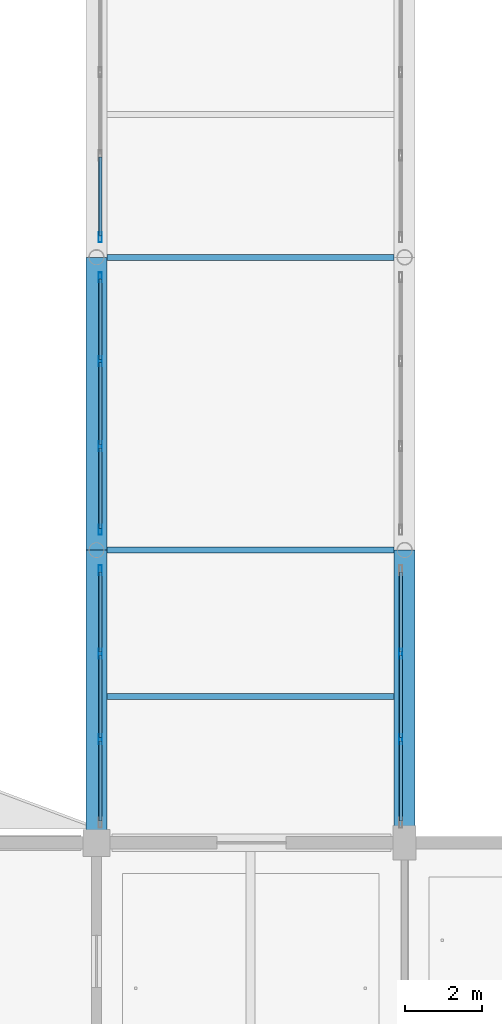
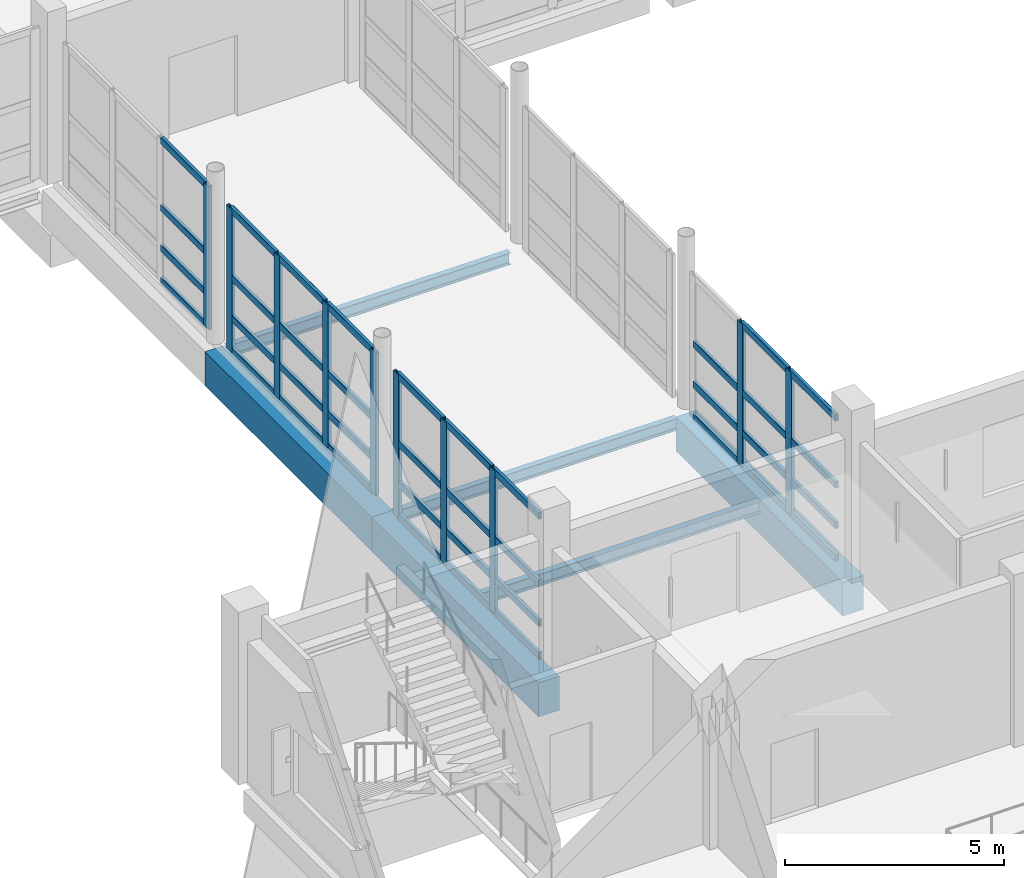
# One storey, part 21 of 147: 49 members, 6 beams, 4 elements without a shape of their own.
"""IFC4 building model written with IfcOpenShell, lengths in metres."""

from ifc_helpers import new_model, si_unit, direction, frame, origin, origin_2d, place, context, subcontext, project, spatial, rectangle, hollow_rectangle, i_section, extrude, material, material_profile, profile_set, type_object, element, aggregate, save


model = new_model("IFC4")

# Units and contexts
model_context = context("Model", 3, precision=1e-05, world=origin(), true_north=direction((0.0, 1.0)))
body_context = subcontext(model_context, "Body", "Model", "MODEL_VIEW")
ifc_project = project(units=[si_unit("LENGTHUNIT", "METRE"), si_unit("AREAUNIT", "SQUARE_METRE"), si_unit("VOLUMEUNIT", "CUBIC_METRE"), si_unit("PLANEANGLEUNIT", "RADIAN"), si_unit("MASSUNIT", "GRAM", prefix="KILO")], contexts=[model_context])

# Site, building, storey
site_placement = place(None, origin())
site = spatial("IfcSite", under=ifc_project, at=site_placement, CompositionType="ELEMENT")
building_placement = place(site_placement, origin())
building = spatial("IfcBuilding", under=site, at=building_placement, Name="Khelvaren Railside Concert Hall", CompositionType="ELEMENT")
storey_placement = place(building_placement, frame((0.0, 0.0, 5.39990234375)))
storey = spatial("IfcBuildingStorey", under=building, at=storey_placement, Name="L01", CompositionType="ELEMENT", Elevation=5.39990234375)

# Curtain wall, members
ifc_material_1 = material(Name="Acoustic laminated crystal facade glass", Category="glass")
curtain_wall_type = type_object("IfcCurtainWallType", Name="CW78", PredefinedType="USERDEFINED", material=ifc_material_1)
curtain_wall_1_placement = place(storey_placement, origin())
curtain_wall_1 = element("IfcCurtainWall", 1, at=curtain_wall_1_placement, inside=storey, type_object=curtain_wall_type, Name="Unitised Curtain Wall CW-LB3-L01-W1", ObjectType="UNITISED CURTAIN WALL", PredefinedType="USERDEFINED")
ifc_material_2 = material(Name="Anodised architectural aluminium 6063-T6", Category="aluminium")
ifc_material_profile_1 = material_profile(ifc_material_2, hollow_rectangle(XDim=0.0849609375, YDim=0.260009765625, WallThickness=0.0048828125, InnerFilletRadius=0.0029296875, OuterFilletRadius=0.0048828125, at=origin_2d()), Name="CWM 85x260x5")
ifc_profile_set_1 = profile_set([ifc_material_profile_1], Name="Anodised architectural aluminium 6063-T6")
member_type_1 = type_object("IfcMemberType", Name="CWM40", PredefinedType="MULLION", material=ifc_profile_set_1)
member_1_placement = place(storey_placement, frame((8.10009765625, 48.293212890625, 0.0), z_axis=(0.0, 0.0, 1.0), x_axis=(-1.0, 0.0, 0.0)))
member_1 = element("IfcMember", 2, at=member_1_placement, type_object=member_type_1, Name="CW78 mullion 2", PredefinedType="MULLION", context=body_context, shape_type="SweptSolid", body=[
    extrude(hollow_rectangle(XDim=0.0849609375, YDim=0.260009765625, WallThickness=0.0048828125, InnerFilletRadius=0.0029296875, OuterFilletRadius=0.0048828125, at=origin_2d()), origin(), (0.0, 0.0, 1.0), 3.97998046875),
])
member_2_placement = place(storey_placement, frame((8.10009765625, 50.506591796875, 0.0), z_axis=(0.0, 0.0, 1.0), x_axis=(-1.0, 0.0, 0.0)))
member_2 = element("IfcMember", 3, at=member_2_placement, type_object=member_type_1, Name="CW78 mullion 3", PredefinedType="MULLION", context=body_context, shape_type="SweptSolid", body=[
    extrude(hollow_rectangle(XDim=0.0849609375, YDim=0.260009765625, WallThickness=0.0048828125, InnerFilletRadius=0.0029296875, OuterFilletRadius=0.0048828125, at=origin_2d()), origin(), (0.0, 0.0, 1.0), 3.97998046875),
])
member_3_placement = place(storey_placement, frame((8.10009765625, 52.677490234375, 0.0), z_axis=(0.0, 0.0, 1.0), x_axis=(-1.0, 0.0, 0.0)))
member_3 = element("IfcMember", 4, at=member_3_placement, type_object=member_type_1, Name="CW78 mullion 4", PredefinedType="MULLION", context=body_context, shape_type="SweptSolid", body=[
    extrude(hollow_rectangle(XDim=0.0849609375, YDim=0.260009765625, WallThickness=0.0048828125, InnerFilletRadius=0.0029296875, OuterFilletRadius=0.0048828125, at=origin_2d()), origin(), (0.0, 0.0, 1.0), 3.97998046875),
])

curtain_wall_2_placement = place(storey_placement, origin())
curtain_wall_2 = element("IfcCurtainWall", 5, at=curtain_wall_2_placement, inside=storey, type_object=curtain_wall_type, Name="Unitised Curtain Wall CW-LB3-L01-E1", ObjectType="UNITISED CURTAIN WALL", PredefinedType="USERDEFINED")
member_4_placement = place(storey_placement, frame((15.89990234375, 50.506591796875, 0.0), z_axis=(0.0, 0.0, 1.0), x_axis=(1.0, 0.0, 0.0)))
member_4 = element("IfcMember", 6, at=member_4_placement, type_object=member_type_1, Name="CW78 mullion 2", PredefinedType="MULLION", context=body_context, shape_type="SweptSolid", body=[
    extrude(hollow_rectangle(XDim=0.0849609375, YDim=0.260009765625, WallThickness=0.0048828125, InnerFilletRadius=0.0029296875, OuterFilletRadius=0.0048828125, at=origin_2d()), origin(), (0.0, 0.0, 1.0), 3.97998046875),
])
member_5_placement = place(storey_placement, frame((15.89990234375, 48.293212890625, 0.0), z_axis=(0.0, 0.0, 1.0), x_axis=(1.0, 0.0, 0.0)))
member_5 = element("IfcMember", 7, at=member_5_placement, type_object=member_type_1, Name="CW78 mullion 3", PredefinedType="MULLION", context=body_context, shape_type="SweptSolid", body=[
    extrude(hollow_rectangle(XDim=0.0849609375, YDim=0.260009765625, WallThickness=0.0048828125, InnerFilletRadius=0.0029296875, OuterFilletRadius=0.0048828125, at=origin_2d()), origin(), (0.0, 0.0, 1.0), 3.97998046875),
])

curtain_wall_3_placement = place(storey_placement, origin())
curtain_wall_3 = element("IfcCurtainWall", 8, at=curtain_wall_3_placement, inside=storey, type_object=curtain_wall_type, Name="Unitised Curtain Wall CW-LB3-L01-W2", ObjectType="UNITISED CURTAIN WALL", PredefinedType="USERDEFINED")
member_6_placement = place(storey_placement, frame((8.10009765625, 53.722412109375, 0.0), z_axis=(0.0, 0.0, 1.0), x_axis=(-1.0, 0.0, 0.0)))
member_6 = element("IfcMember", 9, at=member_6_placement, type_object=member_type_1, Name="CW78 mullion 1", PredefinedType="MULLION", context=body_context, shape_type="SweptSolid", body=[
    extrude(hollow_rectangle(XDim=0.0849609375, YDim=0.260009765625, WallThickness=0.0048828125, InnerFilletRadius=0.0029296875, OuterFilletRadius=0.0048828125, at=origin_2d()), origin(), (0.0, 0.0, 1.0), 3.97998046875),
])
member_7_placement = place(storey_placement, frame((8.10009765625, 55.893310546875, 0.0), z_axis=(0.0, 0.0, 1.0), x_axis=(-1.0, 0.0, 0.0)))
member_7 = element("IfcMember", 10, at=member_7_placement, type_object=member_type_1, Name="CW78 mullion 2", PredefinedType="MULLION", context=body_context, shape_type="SweptSolid", body=[
    extrude(hollow_rectangle(XDim=0.0849609375, YDim=0.260009765625, WallThickness=0.0048828125, InnerFilletRadius=0.0029296875, OuterFilletRadius=0.0048828125, at=origin_2d()), origin(), (0.0, 0.0, 1.0), 3.97998046875),
])
member_8_placement = place(storey_placement, frame((8.10009765625, 58.106689453125, 0.0), z_axis=(0.0, 0.0, 1.0), x_axis=(-1.0, 0.0, 0.0)))
member_8 = element("IfcMember", 11, at=member_8_placement, type_object=member_type_1, Name="CW78 mullion 3", PredefinedType="MULLION", context=body_context, shape_type="SweptSolid", body=[
    extrude(hollow_rectangle(XDim=0.0849609375, YDim=0.260009765625, WallThickness=0.0048828125, InnerFilletRadius=0.0029296875, OuterFilletRadius=0.0048828125, at=origin_2d()), origin(), (0.0, 0.0, 1.0), 3.97998046875),
])
member_9_placement = place(storey_placement, frame((8.10009765625, 60.277587890625, 0.0), z_axis=(0.0, 0.0, 1.0), x_axis=(-1.0, 0.0, 0.0)))
member_9 = element("IfcMember", 12, at=member_9_placement, type_object=member_type_1, Name="CW78 mullion 4", PredefinedType="MULLION", context=body_context, shape_type="SweptSolid", body=[
    extrude(hollow_rectangle(XDim=0.0849609375, YDim=0.260009765625, WallThickness=0.0048828125, InnerFilletRadius=0.0029296875, OuterFilletRadius=0.0048828125, at=origin_2d()), origin(), (0.0, 0.0, 1.0), 3.97998046875),
])

# Curtain wall, member
curtain_wall_4_placement = place(storey_placement, origin())
curtain_wall_4 = element("IfcCurtainWall", 13, at=curtain_wall_4_placement, inside=storey, type_object=curtain_wall_type, Name="Unitised Curtain Wall CW-LB3-L01-W3", ObjectType="UNITISED CURTAIN WALL", PredefinedType="USERDEFINED")
member_10_placement = place(storey_placement, frame((8.10009765625, 61.322509765625, 0.0), z_axis=(0.0, 0.0, 1.0), x_axis=(-1.0, 0.0, 0.0)))
member_10 = element("IfcMember", 14, at=member_10_placement, type_object=member_type_1, Name="CW78 mullion 1", PredefinedType="MULLION", context=body_context, shape_type="SweptSolid", body=[
    extrude(hollow_rectangle(XDim=0.0849609375, YDim=0.260009765625, WallThickness=0.0048828125, InnerFilletRadius=0.0029296875, OuterFilletRadius=0.0048828125, at=origin_2d()), origin(), (0.0, 0.0, 1.0), 3.97998046875),
])

# Member
ifc_material_profile_2 = material_profile(ifc_material_2, hollow_rectangle(XDim=0.0849609375, YDim=0.18994140625, WallThickness=0.0048828125, InnerFilletRadius=0.0029296875, OuterFilletRadius=0.0048828125, at=origin_2d()), Name="CWT 85x190x5")
ifc_profile_set_2 = profile_set([ifc_material_profile_2], Name="Anodised architectural aluminium 6063-T6")
member_type_2 = type_object("IfcMemberType", Name="CWT31", PredefinedType="USERDEFINED", material=ifc_profile_set_2)
member_11_placement = place(storey_placement, frame((8.10009765625, 46.1650390625, 0.04248046875), z_axis=(0.0, 1.0, 0.0), x_axis=(-1.0, 0.0, 0.0)))
member_11 = element("IfcMember", 15, at=member_11_placement, type_object=member_type_2, Name="CW78 transom 1.1", ObjectType="TRANSOM", PredefinedType="USERDEFINED", context=body_context, shape_type="SweptSolid", body=[
    extrude(hollow_rectangle(XDim=0.0849609375, YDim=0.18994140625, WallThickness=0.0048828125, InnerFilletRadius=0.0029296875, OuterFilletRadius=0.0048828125, at=origin_2d()), origin(), (0.0, 0.0, 1.0), 2.085693359375),
])

member_12_placement = place(storey_placement, frame((8.10009765625, 46.1650390625, 0.9501953125), z_axis=(0.0, 1.0, 0.0), x_axis=(-1.0, 0.0, 0.0)))
member_12 = element("IfcMember", 16, at=member_12_placement, type_object=member_type_2, Name="CW78 transom 1.2", ObjectType="TRANSOM", PredefinedType="USERDEFINED", context=body_context, shape_type="SweptSolid", body=[
    extrude(hollow_rectangle(XDim=0.0849609375, YDim=0.18994140625, WallThickness=0.0048828125, InnerFilletRadius=0.0029296875, OuterFilletRadius=0.0048828125, at=origin_2d()), origin(), (0.0, 0.0, 1.0), 2.085693359375),
])

member_13_placement = place(storey_placement, frame((8.10009765625, 46.1650390625, 2.069580078125), z_axis=(0.0, 1.0, 0.0), x_axis=(-1.0, 0.0, 0.0)))
member_13 = element("IfcMember", 17, at=member_13_placement, type_object=member_type_2, Name="CW78 transom 1.3", ObjectType="TRANSOM", PredefinedType="USERDEFINED", context=body_context, shape_type="SweptSolid", body=[
    extrude(hollow_rectangle(XDim=0.0849609375, YDim=0.18994140625, WallThickness=0.0048828125, InnerFilletRadius=0.0029296875, OuterFilletRadius=0.0048828125, at=origin_2d()), origin(), (0.0, 0.0, 1.0), 2.085693359375),
])

member_14_placement = place(storey_placement, frame((8.10009765625, 46.1650390625, 3.9375), z_axis=(0.0, 1.0, 0.0), x_axis=(-1.0, 0.0, 0.0)))
member_14 = element("IfcMember", 18, at=member_14_placement, type_object=member_type_2, Name="CW78 transom 1.4", ObjectType="TRANSOM", PredefinedType="USERDEFINED", context=body_context, shape_type="SweptSolid", body=[
    extrude(hollow_rectangle(XDim=0.0849609375, YDim=0.18994140625, WallThickness=0.0048828125, InnerFilletRadius=0.0029296875, OuterFilletRadius=0.0048828125, at=origin_2d()), origin(), (0.0, 0.0, 1.0), 2.085693359375),
])

member_15_placement = place(storey_placement, frame((8.10009765625, 48.3359375, 0.04248046875), z_axis=(0.0, 1.0, 0.0), x_axis=(-1.0, 0.0, 0.0)))
member_15 = element("IfcMember", 19, at=member_15_placement, type_object=member_type_2, Name="CW78 transom 2.1", ObjectType="TRANSOM", PredefinedType="USERDEFINED", context=body_context, shape_type="SweptSolid", body=[
    extrude(hollow_rectangle(XDim=0.0849609375, YDim=0.18994140625, WallThickness=0.0048828125, InnerFilletRadius=0.0029296875, OuterFilletRadius=0.0048828125, at=origin_2d()), origin(), (0.0, 0.0, 1.0), 2.128173828125),
])

member_16_placement = place(storey_placement, frame((8.10009765625, 48.3359375, 0.9501953125), z_axis=(0.0, 1.0, 0.0), x_axis=(-1.0, 0.0, 0.0)))
member_16 = element("IfcMember", 20, at=member_16_placement, type_object=member_type_2, Name="CW78 transom 2.2", ObjectType="TRANSOM", PredefinedType="USERDEFINED", context=body_context, shape_type="SweptSolid", body=[
    extrude(hollow_rectangle(XDim=0.0849609375, YDim=0.18994140625, WallThickness=0.0048828125, InnerFilletRadius=0.0029296875, OuterFilletRadius=0.0048828125, at=origin_2d()), origin(), (0.0, 0.0, 1.0), 2.128173828125),
])

member_17_placement = place(storey_placement, frame((8.10009765625, 48.3359375, 2.069580078125), z_axis=(0.0, 1.0, 0.0), x_axis=(-1.0, 0.0, 0.0)))
member_17 = element("IfcMember", 21, at=member_17_placement, type_object=member_type_2, Name="CW78 transom 2.3", ObjectType="TRANSOM", PredefinedType="USERDEFINED", context=body_context, shape_type="SweptSolid", body=[
    extrude(hollow_rectangle(XDim=0.0849609375, YDim=0.18994140625, WallThickness=0.0048828125, InnerFilletRadius=0.0029296875, OuterFilletRadius=0.0048828125, at=origin_2d()), origin(), (0.0, 0.0, 1.0), 2.128173828125),
])

member_18_placement = place(storey_placement, frame((8.10009765625, 48.3359375, 3.9375), z_axis=(0.0, 1.0, 0.0), x_axis=(-1.0, 0.0, 0.0)))
member_18 = element("IfcMember", 22, at=member_18_placement, type_object=member_type_2, Name="CW78 transom 2.4", ObjectType="TRANSOM", PredefinedType="USERDEFINED", context=body_context, shape_type="SweptSolid", body=[
    extrude(hollow_rectangle(XDim=0.0849609375, YDim=0.18994140625, WallThickness=0.0048828125, InnerFilletRadius=0.0029296875, OuterFilletRadius=0.0048828125, at=origin_2d()), origin(), (0.0, 0.0, 1.0), 2.128173828125),
])

member_19_placement = place(storey_placement, frame((8.10009765625, 50.549072265625, 0.04248046875), z_axis=(0.0, 1.0, 0.0), x_axis=(-1.0, 0.0, 0.0)))
member_19 = element("IfcMember", 23, at=member_19_placement, type_object=member_type_2, Name="CW78 transom 3.1", ObjectType="TRANSOM", PredefinedType="USERDEFINED", context=body_context, shape_type="SweptSolid", body=[
    extrude(hollow_rectangle(XDim=0.0849609375, YDim=0.18994140625, WallThickness=0.0048828125, InnerFilletRadius=0.0029296875, OuterFilletRadius=0.0048828125, at=origin_2d()), origin(), (0.0, 0.0, 1.0), 2.0859375),
])

member_20_placement = place(storey_placement, frame((8.10009765625, 50.549072265625, 0.9501953125), z_axis=(0.0, 1.0, 0.0), x_axis=(-1.0, 0.0, 0.0)))
member_20 = element("IfcMember", 24, at=member_20_placement, type_object=member_type_2, Name="CW78 transom 3.2", ObjectType="TRANSOM", PredefinedType="USERDEFINED", context=body_context, shape_type="SweptSolid", body=[
    extrude(hollow_rectangle(XDim=0.0849609375, YDim=0.18994140625, WallThickness=0.0048828125, InnerFilletRadius=0.0029296875, OuterFilletRadius=0.0048828125, at=origin_2d()), origin(), (0.0, 0.0, 1.0), 2.0859375),
])

member_21_placement = place(storey_placement, frame((8.10009765625, 50.549072265625, 2.069580078125), z_axis=(0.0, 1.0, 0.0), x_axis=(-1.0, 0.0, 0.0)))
member_21 = element("IfcMember", 25, at=member_21_placement, type_object=member_type_2, Name="CW78 transom 3.3", ObjectType="TRANSOM", PredefinedType="USERDEFINED", context=body_context, shape_type="SweptSolid", body=[
    extrude(hollow_rectangle(XDim=0.0849609375, YDim=0.18994140625, WallThickness=0.0048828125, InnerFilletRadius=0.0029296875, OuterFilletRadius=0.0048828125, at=origin_2d()), origin(), (0.0, 0.0, 1.0), 2.0859375),
])

member_22_placement = place(storey_placement, frame((8.10009765625, 50.549072265625, 3.9375), z_axis=(0.0, 1.0, 0.0), x_axis=(-1.0, 0.0, 0.0)))
member_22 = element("IfcMember", 26, at=member_22_placement, type_object=member_type_2, Name="CW78 transom 3.4", ObjectType="TRANSOM", PredefinedType="USERDEFINED", context=body_context, shape_type="SweptSolid", body=[
    extrude(hollow_rectangle(XDim=0.0849609375, YDim=0.18994140625, WallThickness=0.0048828125, InnerFilletRadius=0.0029296875, OuterFilletRadius=0.0048828125, at=origin_2d()), origin(), (0.0, 0.0, 1.0), 2.0859375),
])

aggregate(curtain_wall_1, [member_1, member_2, member_3, member_11, member_12, member_13, member_14, member_15, member_16, member_17, member_18, member_19, member_20, member_21, member_22])

member_23_placement = place(storey_placement, frame((15.89990234375, 52.635009765625, 0.04248046875), z_axis=(0.0, -1.0, 0.0), x_axis=(1.0, 0.0, 0.0)))
member_23 = element("IfcMember", 27, at=member_23_placement, type_object=member_type_2, Name="CW78 transom 1.1", ObjectType="TRANSOM", PredefinedType="USERDEFINED", context=body_context, shape_type="SweptSolid", body=[
    extrude(hollow_rectangle(XDim=0.0849609375, YDim=0.18994140625, WallThickness=0.0048828125, InnerFilletRadius=0.0029296875, OuterFilletRadius=0.0048828125, at=origin_2d()), origin(), (0.0, 0.0, 1.0), 2.0859375),
])

member_24_placement = place(storey_placement, frame((15.89990234375, 52.635009765625, 0.9501953125), z_axis=(0.0, -1.0, 0.0), x_axis=(1.0, 0.0, 0.0)))
member_24 = element("IfcMember", 28, at=member_24_placement, type_object=member_type_2, Name="CW78 transom 1.2", ObjectType="TRANSOM", PredefinedType="USERDEFINED", context=body_context, shape_type="SweptSolid", body=[
    extrude(hollow_rectangle(XDim=0.0849609375, YDim=0.18994140625, WallThickness=0.0048828125, InnerFilletRadius=0.0029296875, OuterFilletRadius=0.0048828125, at=origin_2d()), origin(), (0.0, 0.0, 1.0), 2.0859375),
])

member_25_placement = place(storey_placement, frame((15.89990234375, 52.635009765625, 2.069580078125), z_axis=(0.0, -1.0, 0.0), x_axis=(1.0, 0.0, 0.0)))
member_25 = element("IfcMember", 29, at=member_25_placement, type_object=member_type_2, Name="CW78 transom 1.3", ObjectType="TRANSOM", PredefinedType="USERDEFINED", context=body_context, shape_type="SweptSolid", body=[
    extrude(hollow_rectangle(XDim=0.0849609375, YDim=0.18994140625, WallThickness=0.0048828125, InnerFilletRadius=0.0029296875, OuterFilletRadius=0.0048828125, at=origin_2d()), origin(), (0.0, 0.0, 1.0), 2.0859375),
])

member_26_placement = place(storey_placement, frame((15.89990234375, 50.464111328125, 0.04248046875), z_axis=(0.0, -1.0, 0.0), x_axis=(1.0, 0.0, 0.0)))
member_26 = element("IfcMember", 30, at=member_26_placement, type_object=member_type_2, Name="CW78 transom 2.1", ObjectType="TRANSOM", PredefinedType="USERDEFINED", context=body_context, shape_type="SweptSolid", body=[
    extrude(hollow_rectangle(XDim=0.0849609375, YDim=0.18994140625, WallThickness=0.0048828125, InnerFilletRadius=0.0029296875, OuterFilletRadius=0.0048828125, at=origin_2d()), origin(), (0.0, 0.0, 1.0), 2.128173828125),
])

member_27_placement = place(storey_placement, frame((15.89990234375, 50.464111328125, 0.9501953125), z_axis=(0.0, -1.0, 0.0), x_axis=(1.0, 0.0, 0.0)))
member_27 = element("IfcMember", 31, at=member_27_placement, type_object=member_type_2, Name="CW78 transom 2.2", ObjectType="TRANSOM", PredefinedType="USERDEFINED", context=body_context, shape_type="SweptSolid", body=[
    extrude(hollow_rectangle(XDim=0.0849609375, YDim=0.18994140625, WallThickness=0.0048828125, InnerFilletRadius=0.0029296875, OuterFilletRadius=0.0048828125, at=origin_2d()), origin(), (0.0, 0.0, 1.0), 2.128173828125),
])

member_28_placement = place(storey_placement, frame((15.89990234375, 50.464111328125, 2.069580078125), z_axis=(0.0, -1.0, 0.0), x_axis=(1.0, 0.0, 0.0)))
member_28 = element("IfcMember", 32, at=member_28_placement, type_object=member_type_2, Name="CW78 transom 2.3", ObjectType="TRANSOM", PredefinedType="USERDEFINED", context=body_context, shape_type="SweptSolid", body=[
    extrude(hollow_rectangle(XDim=0.0849609375, YDim=0.18994140625, WallThickness=0.0048828125, InnerFilletRadius=0.0029296875, OuterFilletRadius=0.0048828125, at=origin_2d()), origin(), (0.0, 0.0, 1.0), 2.128173828125),
])

member_29_placement = place(storey_placement, frame((15.89990234375, 50.464111328125, 3.9375), z_axis=(0.0, -1.0, 0.0), x_axis=(1.0, 0.0, 0.0)))
member_29 = element("IfcMember", 33, at=member_29_placement, type_object=member_type_2, Name="CW78 transom 2.4", ObjectType="TRANSOM", PredefinedType="USERDEFINED", context=body_context, shape_type="SweptSolid", body=[
    extrude(hollow_rectangle(XDim=0.0849609375, YDim=0.18994140625, WallThickness=0.0048828125, InnerFilletRadius=0.0029296875, OuterFilletRadius=0.0048828125, at=origin_2d()), origin(), (0.0, 0.0, 1.0), 2.128173828125),
])

member_30_placement = place(storey_placement, frame((15.89990234375, 48.250732421875, 0.04248046875), z_axis=(0.0, -1.0, 0.0), x_axis=(1.0, 0.0, 0.0)))
member_30 = element("IfcMember", 34, at=member_30_placement, type_object=member_type_2, Name="CW78 transom 3.1", ObjectType="TRANSOM", PredefinedType="USERDEFINED", context=body_context, shape_type="SweptSolid", body=[
    extrude(hollow_rectangle(XDim=0.0849609375, YDim=0.18994140625, WallThickness=0.0048828125, InnerFilletRadius=0.0029296875, OuterFilletRadius=0.0048828125, at=origin_2d()), origin(), (0.0, 0.0, 1.0), 2.085693359375),
])

member_31_placement = place(storey_placement, frame((15.89990234375, 48.250732421875, 0.9501953125), z_axis=(0.0, -1.0, 0.0), x_axis=(1.0, 0.0, 0.0)))
member_31 = element("IfcMember", 35, at=member_31_placement, type_object=member_type_2, Name="CW78 transom 3.2", ObjectType="TRANSOM", PredefinedType="USERDEFINED", context=body_context, shape_type="SweptSolid", body=[
    extrude(hollow_rectangle(XDim=0.0849609375, YDim=0.18994140625, WallThickness=0.0048828125, InnerFilletRadius=0.0029296875, OuterFilletRadius=0.0048828125, at=origin_2d()), origin(), (0.0, 0.0, 1.0), 2.085693359375),
])

member_32_placement = place(storey_placement, frame((15.89990234375, 48.250732421875, 2.069580078125), z_axis=(0.0, -1.0, 0.0), x_axis=(1.0, 0.0, 0.0)))
member_32 = element("IfcMember", 36, at=member_32_placement, type_object=member_type_2, Name="CW78 transom 3.3", ObjectType="TRANSOM", PredefinedType="USERDEFINED", context=body_context, shape_type="SweptSolid", body=[
    extrude(hollow_rectangle(XDim=0.0849609375, YDim=0.18994140625, WallThickness=0.0048828125, InnerFilletRadius=0.0029296875, OuterFilletRadius=0.0048828125, at=origin_2d()), origin(), (0.0, 0.0, 1.0), 2.085693359375),
])

member_33_placement = place(storey_placement, frame((15.89990234375, 48.250732421875, 3.9375), z_axis=(0.0, -1.0, 0.0), x_axis=(1.0, 0.0, 0.0)))
member_33 = element("IfcMember", 37, at=member_33_placement, type_object=member_type_2, Name="CW78 transom 3.4", ObjectType="TRANSOM", PredefinedType="USERDEFINED", context=body_context, shape_type="SweptSolid", body=[
    extrude(hollow_rectangle(XDim=0.0849609375, YDim=0.18994140625, WallThickness=0.0048828125, InnerFilletRadius=0.0029296875, OuterFilletRadius=0.0048828125, at=origin_2d()), origin(), (0.0, 0.0, 1.0), 2.085693359375),
])

aggregate(curtain_wall_2, [member_4, member_5, member_23, member_24, member_25, member_26, member_27, member_28, member_29, member_30, member_31, member_32, member_33])

member_34_placement = place(storey_placement, frame((8.10009765625, 53.764892578125, 0.04248046875), z_axis=(0.0, 1.0, 0.0), x_axis=(-1.0, 0.0, 0.0)))
member_34 = element("IfcMember", 38, at=member_34_placement, type_object=member_type_2, Name="CW78 transom 1.1", ObjectType="TRANSOM", PredefinedType="USERDEFINED", context=body_context, shape_type="SweptSolid", body=[
    extrude(hollow_rectangle(XDim=0.0849609375, YDim=0.18994140625, WallThickness=0.0048828125, InnerFilletRadius=0.0029296875, OuterFilletRadius=0.0048828125, at=origin_2d()), origin(), (0.0, 0.0, 1.0), 2.0859375),
])

member_35_placement = place(storey_placement, frame((8.10009765625, 53.764892578125, 0.9501953125), z_axis=(0.0, 1.0, 0.0), x_axis=(-1.0, 0.0, 0.0)))
member_35 = element("IfcMember", 39, at=member_35_placement, type_object=member_type_2, Name="CW78 transom 1.2", ObjectType="TRANSOM", PredefinedType="USERDEFINED", context=body_context, shape_type="SweptSolid", body=[
    extrude(hollow_rectangle(XDim=0.0849609375, YDim=0.18994140625, WallThickness=0.0048828125, InnerFilletRadius=0.0029296875, OuterFilletRadius=0.0048828125, at=origin_2d()), origin(), (0.0, 0.0, 1.0), 2.0859375),
])

member_36_placement = place(storey_placement, frame((8.10009765625, 53.764892578125, 2.069580078125), z_axis=(0.0, 1.0, 0.0), x_axis=(-1.0, 0.0, 0.0)))
member_36 = element("IfcMember", 40, at=member_36_placement, type_object=member_type_2, Name="CW78 transom 1.3", ObjectType="TRANSOM", PredefinedType="USERDEFINED", context=body_context, shape_type="SweptSolid", body=[
    extrude(hollow_rectangle(XDim=0.0849609375, YDim=0.18994140625, WallThickness=0.0048828125, InnerFilletRadius=0.0029296875, OuterFilletRadius=0.0048828125, at=origin_2d()), origin(), (0.0, 0.0, 1.0), 2.0859375),
])

member_37_placement = place(storey_placement, frame((8.10009765625, 53.764892578125, 3.9375), z_axis=(0.0, 1.0, 0.0), x_axis=(-1.0, 0.0, 0.0)))
member_37 = element("IfcMember", 41, at=member_37_placement, type_object=member_type_2, Name="CW78 transom 1.4", ObjectType="TRANSOM", PredefinedType="USERDEFINED", context=body_context, shape_type="SweptSolid", body=[
    extrude(hollow_rectangle(XDim=0.0849609375, YDim=0.18994140625, WallThickness=0.0048828125, InnerFilletRadius=0.0029296875, OuterFilletRadius=0.0048828125, at=origin_2d()), origin(), (0.0, 0.0, 1.0), 2.0859375),
])

member_38_placement = place(storey_placement, frame((8.10009765625, 55.935791015625, 0.04248046875), z_axis=(0.0, 1.0, 0.0), x_axis=(-1.0, 0.0, 0.0)))
member_38 = element("IfcMember", 42, at=member_38_placement, type_object=member_type_2, Name="CW78 transom 2.1", ObjectType="TRANSOM", PredefinedType="USERDEFINED", context=body_context, shape_type="SweptSolid", body=[
    extrude(hollow_rectangle(XDim=0.0849609375, YDim=0.18994140625, WallThickness=0.0048828125, InnerFilletRadius=0.0029296875, OuterFilletRadius=0.0048828125, at=origin_2d()), origin(), (0.0, 0.0, 1.0), 2.12841796875),
])

member_39_placement = place(storey_placement, frame((8.10009765625, 55.935791015625, 0.9501953125), z_axis=(0.0, 1.0, 0.0), x_axis=(-1.0, 0.0, 0.0)))
member_39 = element("IfcMember", 43, at=member_39_placement, type_object=member_type_2, Name="CW78 transom 2.2", ObjectType="TRANSOM", PredefinedType="USERDEFINED", context=body_context, shape_type="SweptSolid", body=[
    extrude(hollow_rectangle(XDim=0.0849609375, YDim=0.18994140625, WallThickness=0.0048828125, InnerFilletRadius=0.0029296875, OuterFilletRadius=0.0048828125, at=origin_2d()), origin(), (0.0, 0.0, 1.0), 2.12841796875),
])

member_40_placement = place(storey_placement, frame((8.10009765625, 55.935791015625, 2.069580078125), z_axis=(0.0, 1.0, 0.0), x_axis=(-1.0, 0.0, 0.0)))
member_40 = element("IfcMember", 44, at=member_40_placement, type_object=member_type_2, Name="CW78 transom 2.3", ObjectType="TRANSOM", PredefinedType="USERDEFINED", context=body_context, shape_type="SweptSolid", body=[
    extrude(hollow_rectangle(XDim=0.0849609375, YDim=0.18994140625, WallThickness=0.0048828125, InnerFilletRadius=0.0029296875, OuterFilletRadius=0.0048828125, at=origin_2d()), origin(), (0.0, 0.0, 1.0), 2.12841796875),
])

member_41_placement = place(storey_placement, frame((8.10009765625, 55.935791015625, 3.9375), z_axis=(0.0, 1.0, 0.0), x_axis=(-1.0, 0.0, 0.0)))
member_41 = element("IfcMember", 45, at=member_41_placement, type_object=member_type_2, Name="CW78 transom 2.4", ObjectType="TRANSOM", PredefinedType="USERDEFINED", context=body_context, shape_type="SweptSolid", body=[
    extrude(hollow_rectangle(XDim=0.0849609375, YDim=0.18994140625, WallThickness=0.0048828125, InnerFilletRadius=0.0029296875, OuterFilletRadius=0.0048828125, at=origin_2d()), origin(), (0.0, 0.0, 1.0), 2.12841796875),
])

member_42_placement = place(storey_placement, frame((8.10009765625, 58.149169921875, 0.04248046875), z_axis=(0.0, 1.0, 0.0), x_axis=(-1.0, 0.0, 0.0)))
member_42 = element("IfcMember", 46, at=member_42_placement, type_object=member_type_2, Name="CW78 transom 3.1", ObjectType="TRANSOM", PredefinedType="USERDEFINED", context=body_context, shape_type="SweptSolid", body=[
    extrude(hollow_rectangle(XDim=0.0849609375, YDim=0.18994140625, WallThickness=0.0048828125, InnerFilletRadius=0.0029296875, OuterFilletRadius=0.0048828125, at=origin_2d()), origin(), (0.0, 0.0, 1.0), 2.0859375),
])

member_43_placement = place(storey_placement, frame((8.10009765625, 58.149169921875, 0.9501953125), z_axis=(0.0, 1.0, 0.0), x_axis=(-1.0, 0.0, 0.0)))
member_43 = element("IfcMember", 47, at=member_43_placement, type_object=member_type_2, Name="CW78 transom 3.2", ObjectType="TRANSOM", PredefinedType="USERDEFINED", context=body_context, shape_type="SweptSolid", body=[
    extrude(hollow_rectangle(XDim=0.0849609375, YDim=0.18994140625, WallThickness=0.0048828125, InnerFilletRadius=0.0029296875, OuterFilletRadius=0.0048828125, at=origin_2d()), origin(), (0.0, 0.0, 1.0), 2.0859375),
])

member_44_placement = place(storey_placement, frame((8.10009765625, 58.149169921875, 2.069580078125), z_axis=(0.0, 1.0, 0.0), x_axis=(-1.0, 0.0, 0.0)))
member_44 = element("IfcMember", 48, at=member_44_placement, type_object=member_type_2, Name="CW78 transom 3.3", ObjectType="TRANSOM", PredefinedType="USERDEFINED", context=body_context, shape_type="SweptSolid", body=[
    extrude(hollow_rectangle(XDim=0.0849609375, YDim=0.18994140625, WallThickness=0.0048828125, InnerFilletRadius=0.0029296875, OuterFilletRadius=0.0048828125, at=origin_2d()), origin(), (0.0, 0.0, 1.0), 2.0859375),
])

member_45_placement = place(storey_placement, frame((8.10009765625, 58.149169921875, 3.9375), z_axis=(0.0, 1.0, 0.0), x_axis=(-1.0, 0.0, 0.0)))
member_45 = element("IfcMember", 49, at=member_45_placement, type_object=member_type_2, Name="CW78 transom 3.4", ObjectType="TRANSOM", PredefinedType="USERDEFINED", context=body_context, shape_type="SweptSolid", body=[
    extrude(hollow_rectangle(XDim=0.0849609375, YDim=0.18994140625, WallThickness=0.0048828125, InnerFilletRadius=0.0029296875, OuterFilletRadius=0.0048828125, at=origin_2d()), origin(), (0.0, 0.0, 1.0), 2.0859375),
])

aggregate(curtain_wall_3, [member_6, member_7, member_8, member_9, member_34, member_35, member_36, member_37, member_38, member_39, member_40, member_41, member_42, member_43, member_44, member_45])

member_46_placement = place(storey_placement, frame((8.10009765625, 61.364990234375, 0.04248046875), z_axis=(0.0, 1.0, 0.0), x_axis=(-1.0, 0.0, 0.0)))
member_46 = element("IfcMember", 50, at=member_46_placement, type_object=member_type_2, Name="CW78 transom 1.1", ObjectType="TRANSOM", PredefinedType="USERDEFINED", context=body_context, shape_type="SweptSolid", body=[
    extrude(hollow_rectangle(XDim=0.0849609375, YDim=0.18994140625, WallThickness=0.0048828125, InnerFilletRadius=0.0029296875, OuterFilletRadius=0.0048828125, at=origin_2d()), origin(), (0.0, 0.0, 1.0), 2.035888671875),
])

member_47_placement = place(storey_placement, frame((8.10009765625, 61.364990234375, 0.9501953125), z_axis=(0.0, 1.0, 0.0), x_axis=(-1.0, 0.0, 0.0)))
member_47 = element("IfcMember", 51, at=member_47_placement, type_object=member_type_2, Name="CW78 transom 1.2", ObjectType="TRANSOM", PredefinedType="USERDEFINED", context=body_context, shape_type="SweptSolid", body=[
    extrude(hollow_rectangle(XDim=0.0849609375, YDim=0.18994140625, WallThickness=0.0048828125, InnerFilletRadius=0.0029296875, OuterFilletRadius=0.0048828125, at=origin_2d()), origin(), (0.0, 0.0, 1.0), 2.035888671875),
])

member_48_placement = place(storey_placement, frame((8.10009765625, 61.364990234375, 2.069580078125), z_axis=(0.0, 1.0, 0.0), x_axis=(-1.0, 0.0, 0.0)))
member_48 = element("IfcMember", 52, at=member_48_placement, type_object=member_type_2, Name="CW78 transom 1.3", ObjectType="TRANSOM", PredefinedType="USERDEFINED", context=body_context, shape_type="SweptSolid", body=[
    extrude(hollow_rectangle(XDim=0.0849609375, YDim=0.18994140625, WallThickness=0.0048828125, InnerFilletRadius=0.0029296875, OuterFilletRadius=0.0048828125, at=origin_2d()), origin(), (0.0, 0.0, 1.0), 2.035888671875),
])

member_49_placement = place(storey_placement, frame((8.10009765625, 61.364990234375, 3.9375), z_axis=(0.0, 1.0, 0.0), x_axis=(-1.0, 0.0, 0.0)))
member_49 = element("IfcMember", 53, at=member_49_placement, type_object=member_type_2, Name="CW78 transom 1.4", ObjectType="TRANSOM", PredefinedType="USERDEFINED", context=body_context, shape_type="SweptSolid", body=[
    extrude(hollow_rectangle(XDim=0.0849609375, YDim=0.18994140625, WallThickness=0.0048828125, InnerFilletRadius=0.0029296875, OuterFilletRadius=0.0048828125, at=origin_2d()), origin(), (0.0, 0.0, 1.0), 2.035888671875),
])

aggregate(curtain_wall_4, [member_10, member_46, member_47, member_48, member_49])

# Beams
ifc_material_3 = material(Name="Concrete C40/50", Category="concrete")
ifc_material_profile_3 = material_profile(ifc_material_3, rectangle(XDim=0.550048828125, YDim=0.949951171875, at=origin_2d()), Name="RCB 550x950")
ifc_profile_set_3 = profile_set([ifc_material_profile_3], Name="Concrete C40/50")
beam_type_1 = type_object("IfcBeamType", Name="GR75", PredefinedType="T_BEAM", material=ifc_profile_set_3)
beam_1_placement = place(storey_placement, frame((8.0, 45.60009765625, -0.71484375), z_axis=(0.0, 1.0, 0.0), x_axis=(-1.0, 0.0, 0.0)))
element("IfcBeam", 54, at=beam_1_placement, inside=storey, type_object=beam_type_1, Name="West Court Chamber Link Bridge L01 Bridge Girder 1.1", PredefinedType="T_BEAM", context=body_context, shape_type="SweptSolid", body=[
    extrude(rectangle(XDim=0.550048828125, YDim=0.949951171875, at=origin_2d()), origin(), (0.0, 0.0, 1.0), 7.599853515625),
])
beam_2_placement = place(storey_placement, frame((8.0, 53.199951171875, -0.71484375), z_axis=(0.0, 1.0, 0.0), x_axis=(-1.0, 0.0, 0.0)))
element("IfcBeam", 55, at=beam_2_placement, inside=storey, type_object=beam_type_1, Name="West Court Chamber Link Bridge L01 Bridge Girder 1.2", PredefinedType="T_BEAM", context=body_context, shape_type="SweptSolid", body=[
    extrude(rectangle(XDim=0.550048828125, YDim=0.949951171875, at=origin_2d()), origin(), (0.0, 0.0, 1.0), 7.60009765625),
])
beam_3_placement = place(storey_placement, frame((16.0, 45.60009765625, -0.71484375), z_axis=(0.0, 1.0, 0.0), x_axis=(-1.0, 0.0, 0.0)))
element("IfcBeam", 56, at=beam_3_placement, inside=storey, type_object=beam_type_1, Name="West Court Chamber Link Bridge L01 Bridge Girder 2.1", PredefinedType="T_BEAM", context=body_context, shape_type="SweptSolid", body=[
    extrude(rectangle(XDim=0.550048828125, YDim=0.949951171875, at=origin_2d()), origin(), (0.0, 0.0, 1.0), 7.599853515625),
])
ifc_material_4 = material(Name="Steel S355", Category="steel")
ifc_material_profile_4 = material_profile(ifc_material_4, i_section(OverallWidth=0.159912109375, OverallDepth=0.330078125, WebThickness=0.007568359375, FlangeThickness=0.011474609375, FilletRadius=0.01806640625, at=origin_2d()), Name="IPE 330")
ifc_profile_set_4 = profile_set([ifc_material_profile_4], Name="Steel S355")
beam_type_2 = type_object("IfcBeamType", Name="JS65", PredefinedType="JOIST", material=ifc_profile_set_4)
for number, where, z_axis, x_axis, name in (
    (57, (8.27490234375, 53.199951171875, -0.40478515625), (1.0, 0.0, 0.0), (0.0, 1.0, 0.0), "West Court Chamber Link Bridge L01 Bridge Cross Joist 1"),
    (58, (8.27490234375, 60.800048828125, -0.40478515625), (1.0, 0.0, 0.0), (0.0, 1.0, 0.0), "West Court Chamber Link Bridge L01 Bridge Cross Joist 2"),
    (59, (8.27490234375, 49.39990234375, -0.40478515625), (1.0, 0.0, 0.0), (0.0, 1.0, 0.0), "West Court Chamber Link Bridge L01 Bridge Cross Joist 3"),
):
    element("IfcBeam", number, at=place(storey_placement, frame(where, z_axis=z_axis, x_axis=x_axis)), inside=storey, type_object=beam_type_2, Name=name, PredefinedType="JOIST", context=body_context, shape_type="SweptSolid", body=[
        extrude(i_section(OverallWidth=0.159912109375, OverallDepth=0.330078125, WebThickness=0.007568359375, FlangeThickness=0.011474609375, FilletRadius=0.01806640625, at=origin_2d()), origin(), (0.0, 0.0, 1.0), 7.4501953125),
    ])

save(model, "model.ifc")
